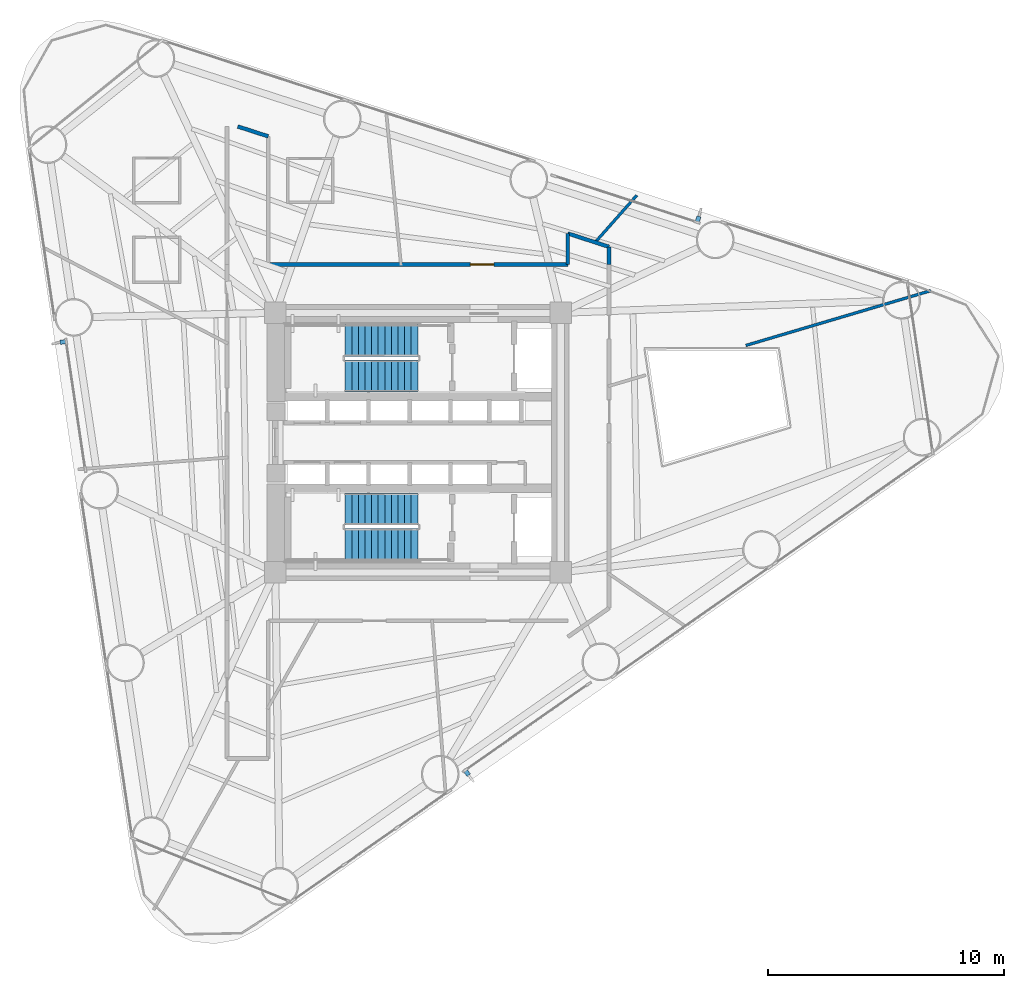
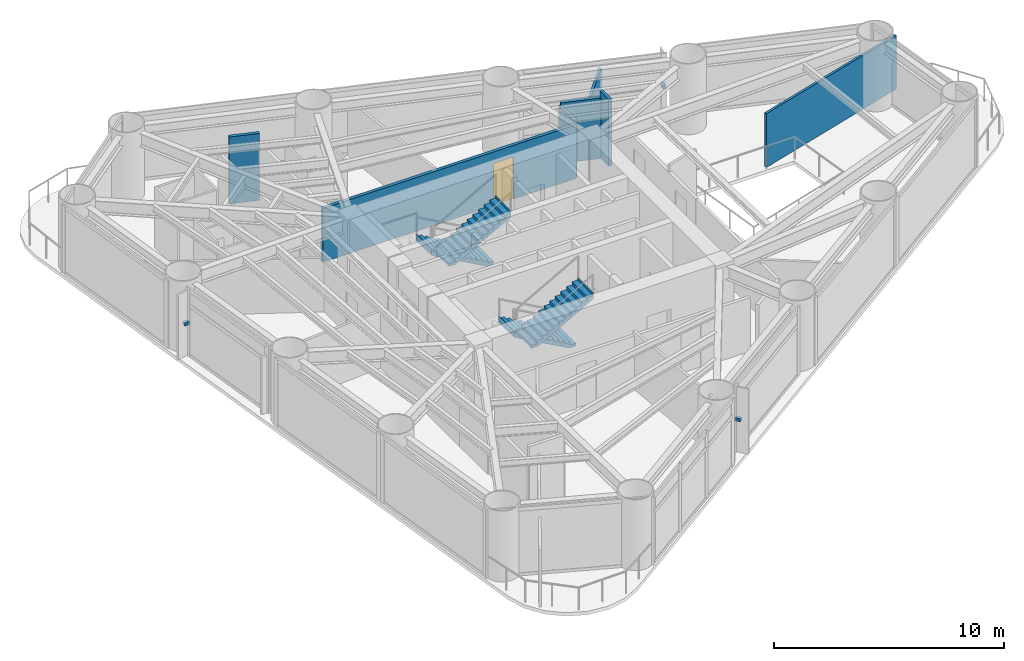
# One storey, part 7 of 9: 7 walls, 4 stair flights, 3 discrete accessories, 1 door, 1 opening, 2 elements without a shape of their own.
"""IFC4 building model written with IfcOpenShell, lengths in metres."""

from ifc_helpers import new_model, si_unit, direction, frame, frame_2d, origin, origin_2d, place, context, subcontext, project, spatial, polyline, rectangle, outline, extrude, source, transform, mapped, material, layer, layer_set, type_object, element, fill, aggregate, save


model = new_model("IFC4")

# Units and contexts
model_context = context("Model", 3, precision=1e-05, world=origin(), true_north=direction((0.0, 1.0)))
body_context = subcontext(model_context, "Body", "Model", "MODEL_VIEW")
ifc_project = project(units=[si_unit("LENGTHUNIT", "METRE"), si_unit("AREAUNIT", "SQUARE_METRE"), si_unit("VOLUMEUNIT", "CUBIC_METRE"), si_unit("PLANEANGLEUNIT", "RADIAN"), si_unit("MASSUNIT", "GRAM", prefix="KILO")], contexts=[model_context])

# Site, building, storey
site_placement = place(None, origin())
site = spatial("IfcSite", under=ifc_project, at=site_placement, CompositionType="ELEMENT")
building_placement = place(site_placement, origin())
building = spatial("IfcBuilding", under=site, at=building_placement, Name="Yunling Apex Tower", CompositionType="ELEMENT")
storey_placement = place(building_placement, frame((0.0, 0.0, 73.550048828125)))
storey = spatial("IfcBuildingStorey", under=building, at=storey_placement, Name="L19", CompositionType="ELEMENT", Elevation=73.550048828125)

# Wall
ifc_material_1 = material(Name="Gypsum board acoustic partition")
ifc_layer_1 = layer(ifc_material_1, 0.159912109375)
ifc_layer_set_1 = layer_set([ifc_layer_1], Name="Gypsum board acoustic partition")
wall_type_1 = type_object("IfcWallType", Name="WL-PRT-1", PredefinedType="PARTITIONING", material=ifc_layer_set_1)
wall_1_placement = place(storey_placement, frame((-7.64111328125, 13.39990234375, 0.0), z_axis=(0.0, 0.0, 1.0), x_axis=(0.951277022007, -0.308337521884, 0.0)))
element("IfcWall", 1, at=wall_1_placement, inside=storey, type_object=wall_type_1, Name="WL-CORR-L19-05", PredefinedType="PARTITIONING", context=body_context, shape_type="SweptSolid", body=[
    extrude(rectangle(XDim=1.357177734375, YDim=0.159912109375, at=frame_2d((0.6787109375, 0.0))), origin(), (0.0, 0.0, 1.0), 3.544921875),
])

# Wall, opening, door
wall_2_placement = place(storey_placement, frame((-6.35009765625, 7.550048828125, 0.0), z_axis=(0.0, 0.0, 1.0), x_axis=(1.0, 0.0, 0.0)))
wall_2 = element("IfcWall", 2, at=wall_2_placement, inside=storey, type_object=wall_type_1, Name="WL-CORR-L19-07", PredefinedType="PARTITIONING", context=body_context, shape_type="SweptSolid", body=[
    extrude(rectangle(XDim=12.7001953125, YDim=0.159912109375, at=frame_2d((6.35009765625, 0.0))), origin(), (0.0, 0.0, 1.0), 2.849853515625),
])
opening_placement = place(wall_2_placement, frame((8.563720703125, 0.0, 0.0)))
opening = element("IfcOpeningElement", 3, at=opening_placement, cuts=wall_2, Name="Opening DR-OFF-1", PredefinedType="OPENING", context=body_context, shape_type="SweptSolid", body=[
    extrude(rectangle(XDim=1.0, YDim=2.25, at=frame_2d((0.5, 1.125))), frame((0.0, 0.08984375, 0.0), z_axis=(0.0, -1.0, 0.0), x_axis=(1.0, 0.0, 0.0)), (0.0, 0.0, 1.0), 0.179931640625),
])
ifc_material_2 = material(Name="Bronze anodised aluminium", Category="aluminium")
door_type = type_object("IfcDoorType", Name="DR-OFF-1", OperationType="NOTDEFINED", PredefinedType="DOOR", material=ifc_material_2)
door_placement = place(opening_placement, origin())
door = element("IfcDoor", 4, at=door_placement, inside=storey, type_object=door_type, Name="L19 Staff Fitness Club Door", OperationType="SINGLE_SWING_LEFT", OverallHeight=2.25, OverallWidth=1.0, PredefinedType="DOOR", context=body_context, shape_type="SweptSolid", body=[
    extrude(rectangle(XDim=1.0, YDim=2.25, at=frame_2d((0.5, 1.125))), frame((0.0, 0.02490234375, 0.0), z_axis=(0.0, -1.0, 0.0), x_axis=(1.0, 0.0, 0.0)), (0.0, 0.0, 1.0), 0.050048828125),
])
fill(opening, door)

# Walls
wall_3_placement = place(storey_placement, frame((6.35009765625, 7.550048828125, 0.0), z_axis=(0.0, 0.0, 1.0), x_axis=(0.0, 1.0, 0.0)))
element("IfcWall", 5, at=wall_3_placement, inside=storey, type_object=wall_type_1, Name="WL-CORR-L19-08", PredefinedType="PARTITIONING", context=body_context, shape_type="SweptSolid", body=[
    extrude(rectangle(XDim=1.314697265625, YDim=0.159912109375, at=frame_2d((0.6572265625, 0.0))), origin(), (0.0, 0.0, 1.0), 3.050048828125),
])
wall_4_placement = place(storey_placement, frame((6.35009765625, 8.86474609375, 0.0), z_axis=(0.0, 0.0, 1.0), x_axis=(0.951291213681, -0.308293734568, 0.0)))
element("IfcWall", 6, at=wall_4_placement, inside=storey, type_object=wall_type_1, Name="WL-CORR-L19-09", PredefinedType="PARTITIONING", context=body_context, shape_type="SweptSolid", body=[
    extrude(rectangle(XDim=1.839599609375, YDim=0.159912109375, at=frame_2d((0.919921875, 0.0))), origin(), (0.0, 0.0, 1.0), 3.199951171875),
])
wall_5_placement = place(storey_placement, frame((8.10009765625, 8.297607421875, 0.0), z_axis=(0.0, 0.0, 1.0), x_axis=(0.0, -1.0, 0.0)))
element("IfcWall", 7, at=wall_5_placement, inside=storey, type_object=wall_type_1, Name="WL-CORR-L19-10", PredefinedType="PARTITIONING", context=body_context, shape_type="SweptSolid", body=[
    extrude(rectangle(XDim=0.74755859375, YDim=0.159912109375, at=frame_2d((0.373779296875, 0.0))), origin(), (0.0, 0.0, 1.0), 3.544921875),
])
ifc_layer_2 = layer(ifc_material_1, 0.1201171875)
ifc_layer_set_2 = layer_set([ifc_layer_2], Name="Gypsum board acoustic partition")
wall_type_2 = type_object("IfcWallType", Name="WL-PRT-3", PredefinedType="PARTITIONING", material=ifc_layer_set_2)
wall_6_placement = place(storey_placement, frame((13.8974609375, 4.11669921875, 0.0), z_axis=(0.0, 0.0, 1.0), x_axis=(0.958827308203, 0.283989776303, 0.0)))
element("IfcWall", 8, at=wall_6_placement, inside=storey, type_object=wall_type_2, Name="WL-RAD-L19-09", PredefinedType="PARTITIONING", context=body_context, shape_type="SweptSolid", body=[
    extrude(rectangle(XDim=8.181640625, YDim=0.1201171875, at=frame_2d((4.0908203125, 0.0))), origin(), (0.0, 0.0, 1.0), 2.849853515625),
])
wall_7_placement = place(storey_placement, frame((7.481201171875, 8.4560546875, 0.0), z_axis=(0.0, 0.0, 1.0), x_axis=(0.662647880096, 0.7489310963, 0.0)))
element("IfcWall", 9, at=wall_7_placement, inside=storey, type_object=wall_type_2, Name="WL-RAD-L19-10", PredefinedType="PARTITIONING", context=body_context, shape_type="SweptSolid", body=[
    extrude(rectangle(XDim=2.705078125, YDim=0.1201171875, at=frame_2d((1.3525390625, 0.0))), origin(), (0.0, 0.0, 1.0), 3.010009765625),
])

# Stair, stair flights
ifc_material_3 = material(Name="Concrete C40", Category="concrete")
stair_type = type_object("IfcStairType", Name="ST-TWR-1", PredefinedType="HALF_TURN_STAIR", material=ifc_material_3)
stair_1_placement = place(storey_placement, origin())
stair_1 = element("IfcStair", 10, at=stair_1_placement, inside=storey, type_object=stair_type, Name="L19 North Core Smokeproof Exit Stair ST-1", PredefinedType="HALF_TURN_STAIR")
stair_flight_type = type_object("IfcStairFlightType", Name="SFL-TWR-1", PredefinedType="STRAIGHT", material=ifc_material_3)
stair_flight_1_placement = place(storey_placement, frame((-0.010009765625, 4.330078125, 0.0), z_axis=(0.0, 0.0, 1.0), x_axis=(-1.0, 0.0, 0.0)))
stair_flight_1 = element("IfcStairFlight", 11, at=stair_flight_1_placement, type_object=stair_flight_type, Name="ST-1 flight 1", NumberOfRisers=12, NumberOfTreads=11, PredefinedType="STRAIGHT", RiserHeight=0.15625, TreadLength=0.28, context=body_context, shape_type="SweptSolid", body=[
    extrude(outline(polyline([(-0.011962890625, 0.0), (-0.011962890625, 0.15625), (0.0, 0.15625), (0.280029296875, 0.15625), (0.280029296875, 0.3125), (0.56005859375, 0.3125), (0.56005859375, 0.46875), (0.840087890625, 0.46875), (0.840087890625, 0.625), (1.1201171875, 0.625), (1.1201171875, 0.78125), (1.39990234375, 0.78125), (1.39990234375, 0.9375), (1.679931640625, 0.9375), (1.679931640625, 1.09375), (1.9599609375, 1.09375), (1.9599609375, 1.25), (2.239990234375, 1.25), (2.239990234375, 1.40625), (2.52001953125, 1.40625), (2.52001953125, 1.5625), (2.800048828125, 1.5625), (2.800048828125, 1.71875), (3.080078125, 1.71875), (3.080078125, 1.875), (3.092041015625, 1.875), (3.092041015625, 1.53564453125), (0.328125, 0.0), (-0.011962890625, 0.0)])), frame((0.0, 0.68017578125, 0.0), z_axis=(0.0, -1.0, 0.0), x_axis=(1.0, 0.0, 0.0)), (0.0, 0.0, 1.0), 1.360107421875),
])
stair_flight_2_placement = place(storey_placement, frame((-3.090087890625, 2.820068359375, 1.875), z_axis=(0.0, 0.0, 1.0), x_axis=(1.0, 0.0, 0.0)))
stair_flight_2 = element("IfcStairFlight", 12, at=stair_flight_2_placement, type_object=stair_flight_type, Name="ST-1 flight 2", NumberOfRisers=12, NumberOfTreads=11, PredefinedType="STRAIGHT", RiserHeight=0.15625, TreadLength=0.28, context=body_context, shape_type="SweptSolid", body=[
    extrude(outline(polyline([(-0.011962890625, 0.0), (-0.011962890625, 0.15625), (0.0, 0.15625), (0.280029296875, 0.15625), (0.280029296875, 0.3125), (0.56005859375, 0.3125), (0.56005859375, 0.46875), (0.840087890625, 0.46875), (0.840087890625, 0.625), (1.1201171875, 0.625), (1.1201171875, 0.78125), (1.39990234375, 0.78125), (1.39990234375, 0.9375), (1.679931640625, 0.9375), (1.679931640625, 1.09375), (1.9599609375, 1.09375), (1.9599609375, 1.25), (2.239990234375, 1.25), (2.239990234375, 1.40625), (2.52001953125, 1.40625), (2.52001953125, 1.5625), (2.800048828125, 1.5625), (2.800048828125, 1.71875), (3.080078125, 1.71875), (3.080078125, 1.875), (3.092041015625, 1.875), (3.092041015625, 1.53564453125), (0.328125, 0.0), (-0.011962890625, 0.0)])), frame((0.0, 0.68017578125, 0.0), z_axis=(0.0, -1.0, 0.0), x_axis=(1.0, 0.0, 0.0)), (0.0, 0.0, 1.0), 1.360107421875),
])
aggregate(stair_1, [stair_flight_1, stair_flight_2])

stair_2_placement = place(storey_placement, origin())
stair_2 = element("IfcStair", 13, at=stair_2_placement, inside=storey, type_object=stair_type, Name="L19 South Core Smokeproof Exit Stair ST-2", PredefinedType="HALF_TURN_STAIR")
stair_flight_3_placement = place(storey_placement, frame((-0.010009765625, -2.820068359375, 0.0), z_axis=(0.0, 0.0, 1.0), x_axis=(-1.0, 0.0, 0.0)))
stair_flight_3 = element("IfcStairFlight", 14, at=stair_flight_3_placement, type_object=stair_flight_type, Name="ST-2 flight 1", NumberOfRisers=12, NumberOfTreads=11, PredefinedType="STRAIGHT", RiserHeight=0.15625, TreadLength=0.28, context=body_context, shape_type="SweptSolid", body=[
    extrude(outline(polyline([(-0.011962890625, 0.0), (-0.011962890625, 0.15625), (0.0, 0.15625), (0.280029296875, 0.15625), (0.280029296875, 0.3125), (0.56005859375, 0.3125), (0.56005859375, 0.46875), (0.840087890625, 0.46875), (0.840087890625, 0.625), (1.1201171875, 0.625), (1.1201171875, 0.78125), (1.39990234375, 0.78125), (1.39990234375, 0.9375), (1.679931640625, 0.9375), (1.679931640625, 1.09375), (1.9599609375, 1.09375), (1.9599609375, 1.25), (2.239990234375, 1.25), (2.239990234375, 1.40625), (2.52001953125, 1.40625), (2.52001953125, 1.5625), (2.800048828125, 1.5625), (2.800048828125, 1.71875), (3.080078125, 1.71875), (3.080078125, 1.875), (3.092041015625, 1.875), (3.092041015625, 1.53564453125), (0.328125, 0.0), (-0.011962890625, 0.0)])), frame((0.0, 0.68017578125, 0.0), z_axis=(0.0, -1.0, 0.0), x_axis=(1.0, 0.0, 0.0)), (0.0, 0.0, 1.0), 1.360107421875),
])
stair_flight_4_placement = place(storey_placement, frame((-3.090087890625, -4.330078125, 1.875), z_axis=(0.0, 0.0, 1.0), x_axis=(1.0, 0.0, 0.0)))
stair_flight_4 = element("IfcStairFlight", 15, at=stair_flight_4_placement, type_object=stair_flight_type, Name="ST-2 flight 2", NumberOfRisers=12, NumberOfTreads=11, PredefinedType="STRAIGHT", RiserHeight=0.15625, TreadLength=0.28, context=body_context, shape_type="SweptSolid", body=[
    extrude(outline(polyline([(-0.011962890625, 0.0), (-0.011962890625, 0.15625), (0.0, 0.15625), (0.280029296875, 0.15625), (0.280029296875, 0.3125), (0.56005859375, 0.3125), (0.56005859375, 0.46875), (0.840087890625, 0.46875), (0.840087890625, 0.625), (1.1201171875, 0.625), (1.1201171875, 0.78125), (1.39990234375, 0.78125), (1.39990234375, 0.9375), (1.679931640625, 0.9375), (1.679931640625, 1.09375), (1.9599609375, 1.09375), (1.9599609375, 1.25), (2.239990234375, 1.25), (2.239990234375, 1.40625), (2.52001953125, 1.40625), (2.52001953125, 1.5625), (2.800048828125, 1.5625), (2.800048828125, 1.71875), (3.080078125, 1.71875), (3.080078125, 1.875), (3.092041015625, 1.875), (3.092041015625, 1.53564453125), (0.328125, 0.0), (-0.011962890625, 0.0)])), frame((0.0, 0.68017578125, 0.0), z_axis=(0.0, -1.0, 0.0), x_axis=(1.0, 0.0, 0.0)), (0.0, 0.0, 1.0), 1.360107421875),
])
aggregate(stair_2, [stair_flight_3, stair_flight_4])

# Discrete accessories
ifc_material_4 = material(Name="Steel Q355B", Category="steel")
discrete_accessory_type = type_object("IfcDiscreteAccessoryType", Name="BK-FIN-1", PredefinedType="BRACKET", material=ifc_material_4)
shared_shape = source(origin(), body_context, "Body", "SweptSolid", [
    extrude(rectangle(XDim=0.179931640625, YDim=0.260009765625, at=origin_2d()), origin(), (0.0, 0.0, 1.0), 0.159912109375),
])
for number, where, z_axis, x_axis, name in (
    (16, (2.07421875, -13.998291015625, 1.70263671875), (0.0, 0.0, 1.0), (0.819552276527, 0.573004420611, 0.0), "CW-L19-F1-B2-BRK-01-1"),
    (17, (11.86865234375, 9.462158203125, 1.70263671875), (0.0, 0.0, 1.0), (-0.951272019071, 0.30835295642, 0.0), "CW-L19-F2-B2-BRK-01-1"),
    (18, (-15.0458984375, 4.265380859375, 1.70263671875), (0.0, 0.0, 1.0), (0.14780941113, -0.989015863362, 0.0), "CW-L19-F3-B2-BRK-01-1"),
):
    element("IfcDiscreteAccessory", number, at=place(storey_placement, frame(where, z_axis=z_axis, x_axis=x_axis)), inside=storey, type_object=discrete_accessory_type, Name=name, PredefinedType="BRACKET", context=body_context, shape_type="MappedRepresentation", body=[
        mapped(shared_shape, transform((0.0, 0.0, 0.0), scale=1.0)),
    ])

save(model, "model.ifc")
